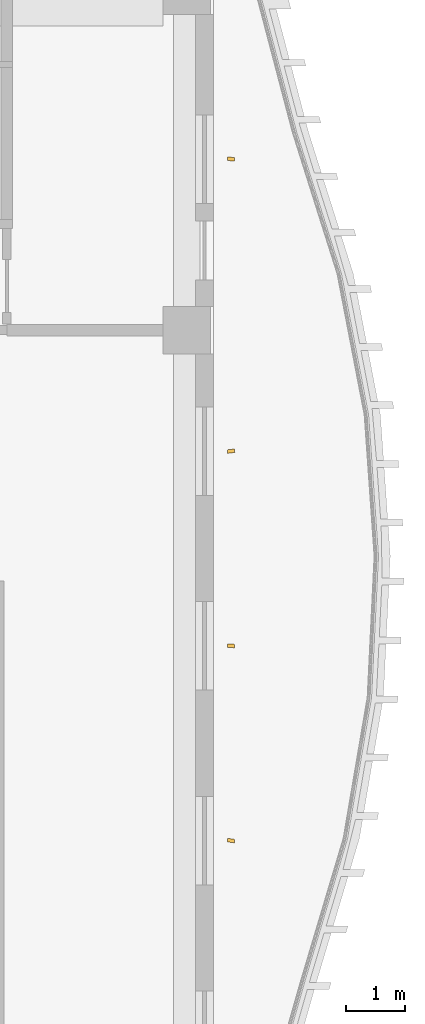
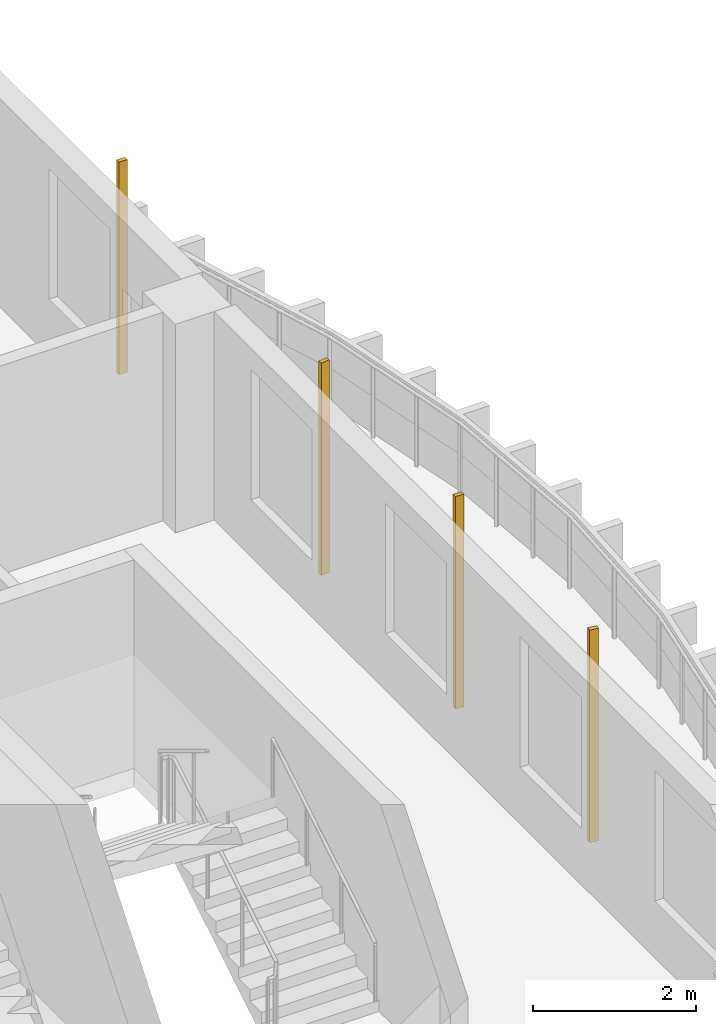
# One storey, part 22 of 22: 4 shading devices.
"""IFC4 building model written with IfcOpenShell, lengths in metres."""

from ifc_helpers import new_model, si_unit, direction, frame, origin, origin_2d, place, context, subcontext, project, spatial, rectangle, extrude, source, transform, mapped, material, material_profile, profile_set, type_object, element, save


model = new_model("IFC4")

# Units and contexts
model_context = context("Model", 3, precision=1e-05, world=origin(), true_north=direction((0.0, 1.0)))
body_context = subcontext(model_context, "Body", "Model", "MODEL_VIEW")
ifc_project = project(units=[si_unit("LENGTHUNIT", "METRE"), si_unit("AREAUNIT", "SQUARE_METRE"), si_unit("VOLUMEUNIT", "CUBIC_METRE"), si_unit("PLANEANGLEUNIT", "RADIAN"), si_unit("MASSUNIT", "GRAM", prefix="KILO")], contexts=[model_context])

# Site, building, storey
site_placement = place(None, origin())
site = spatial("IfcSite", under=ifc_project, at=site_placement, CompositionType="ELEMENT")
building_placement = place(site_placement, origin())
building = spatial("IfcBuilding", under=site, at=building_placement, Name="Kilnfold Tower and Market Hall", CompositionType="ELEMENT")
storey_placement = place(building_placement, frame((0.0, 0.0, 143.89990234375)))
storey = spatial("IfcBuildingStorey", under=building, at=storey_placement, Name="L32", CompositionType="ELEMENT", Elevation=143.89990234375)

# Shading devices
ifc_material = material(Name="Terracotta", Category="masonry")
ifc_material_profile = material_profile(ifc_material, rectangle(XDim=0.06005859375, YDim=0.1201171875, at=origin_2d()), Name="BAG 60x120")
ifc_profile_set = profile_set([ifc_material_profile], Name="Terracotta")
shading_device_type = type_object("IfcShadingDeviceType", Name="BAGUETTE", PredefinedType="USERDEFINED", material=ifc_profile_set)
shared_shape = source(origin(), body_context, "Body", "SweptSolid", [
    extrude(rectangle(XDim=0.06005859375, YDim=0.1201171875, at=origin_2d()), origin(), (0.0, 0.0, 1.0), 3.18017578125),
])
for number, where, z_axis, x_axis, name in (
    (1, (25.550048828125, 13.35009765625, 0.0), (0.0, 0.0, 1.0), (0.134150494813, 0.990960970342, 0.0), "Terracotta baguette L32 E"),
    (2, (25.550048828125, 16.64990234375, 0.0), (0.0, 0.0, 1.0), (0.049174010892, 0.998790226551, 0.0), "Terracotta baguette L32 E"),
    (3, (25.550048828125, 19.949951171875, 0.0), (0.0, 0.0, 1.0), (-0.125405959034, 0.992105511243, 0.0), "Terracotta baguette L32 E"),
    (4, (25.550048828125, 24.89990234375, 0.0), (0.0, 0.0, 1.0), (0.027865809919, 0.99961167292, 0.0), "Terracotta baguette L32 E"),
):
    element("IfcShadingDevice", number, at=place(storey_placement, frame(where, z_axis=z_axis, x_axis=x_axis)), inside=storey, type_object=shading_device_type, Name=name, ObjectType="BAGUETTE", PredefinedType="USERDEFINED", context=body_context, shape_type="MappedRepresentation", body=[
        mapped(shared_shape, transform((0.0, 0.0, 0.0))),
    ])

save(model, "model.ifc")
